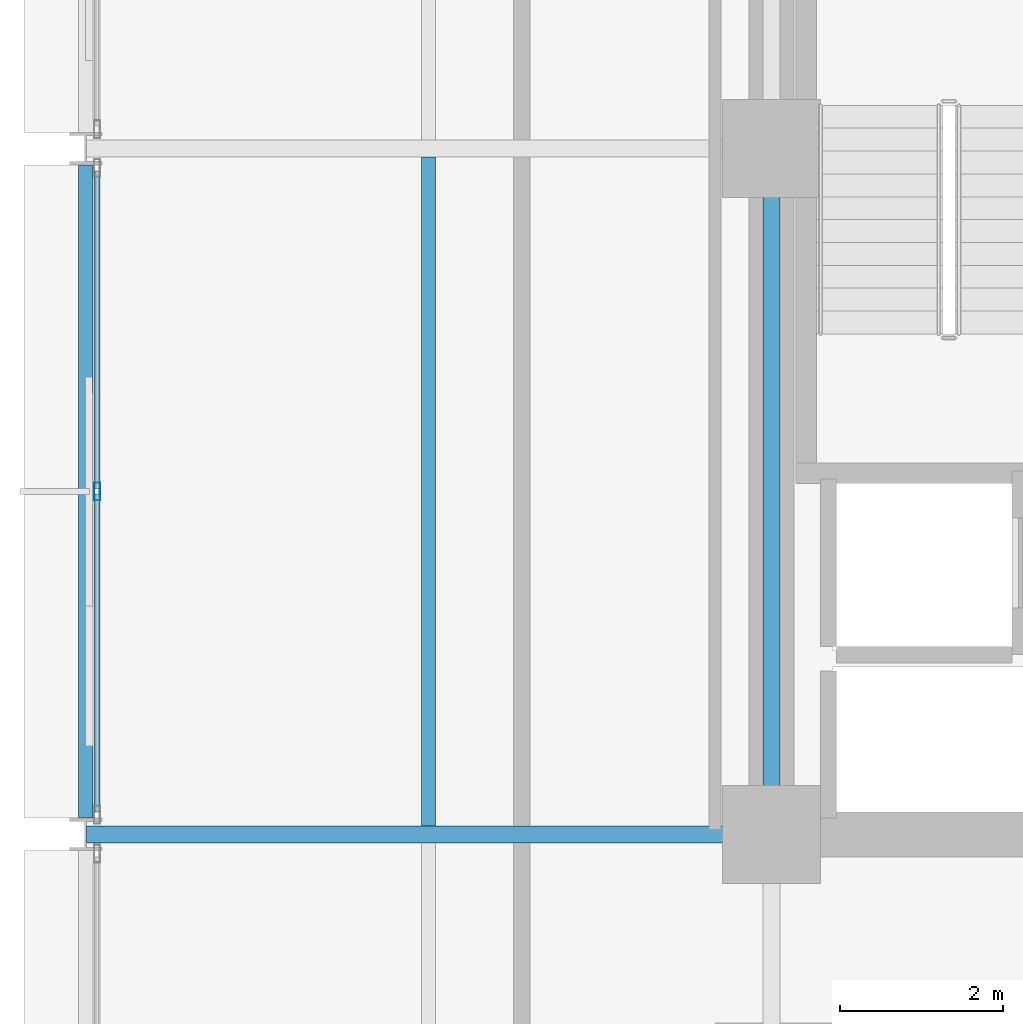
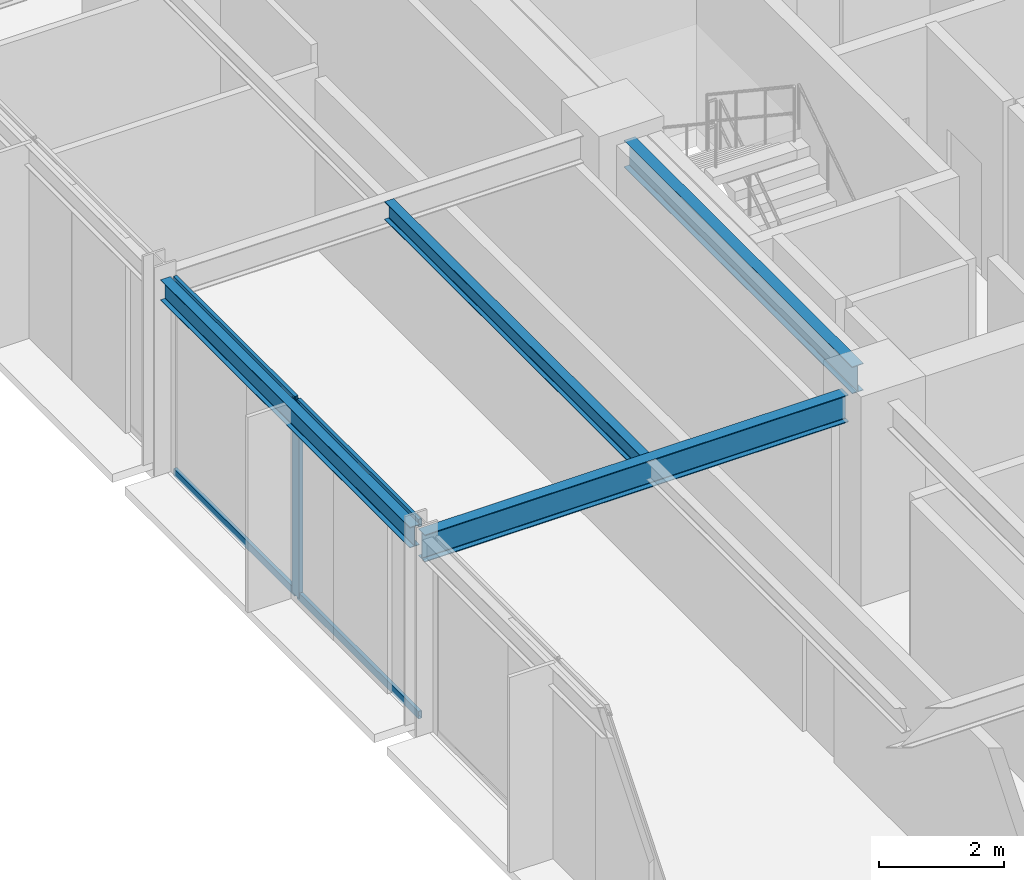
# One storey, part 7 of 25: 5 members, 4 beams, 1 element without a shape of its own.
"""IFC4 building model written with IfcOpenShell, lengths in metres."""

from ifc_helpers import new_model, si_unit, direction, frame, origin, origin_2d, place, context, subcontext, project, spatial, hollow_rectangle, i_section, extrude, material, layer, layer_set, material_profile, profile_set, type_object, element, aggregate, save


model = new_model("IFC4")

# Units and contexts
model_context = context("Model", 3, precision=1e-05, world=origin(), true_north=direction((0.0, 1.0)))
body_context = subcontext(model_context, "Body", "Model", "MODEL_VIEW")
ifc_project = project(units=[si_unit("LENGTHUNIT", "METRE"), si_unit("AREAUNIT", "SQUARE_METRE"), si_unit("VOLUMEUNIT", "CUBIC_METRE"), si_unit("PLANEANGLEUNIT", "RADIAN"), si_unit("MASSUNIT", "GRAM", prefix="KILO")], contexts=[model_context])

# Site, building, storey
site_placement = place(None, origin())
site = spatial("IfcSite", under=ifc_project, at=site_placement, CompositionType="ELEMENT")
building_placement = place(site_placement, origin())
building = spatial("IfcBuilding", under=site, at=building_placement, Name="Nerrivon Quay Data Exchange", CompositionType="ELEMENT")
storey_placement = place(building_placement, frame((0.0, 0.0, 113.10009765625)))
storey = spatial("IfcBuildingStorey", under=building, at=storey_placement, Name="L26", CompositionType="ELEMENT", Elevation=113.10009765625)

# Beams
ifc_material_1 = material(Name="Steel Grade 350", Category="steel")
ifc_material_profile_1 = material_profile(ifc_material_1, i_section(OverallWidth=0.208984375, OverallDepth=0.532958984375, WebThickness=0.01025390625, FlangeThickness=0.015625, FilletRadius=0.013916015625, at=origin_2d()), Name="530UB92.4")
ifc_profile_set_1 = profile_set([ifc_material_profile_1], Name="Steel Grade 350")
beam_type_1 = type_object("IfcBeamType", Name="BM-G3-530UB92", PredefinedType="BEAM", material=ifc_profile_set_1)
beam_1_placement = place(storey_placement, frame((0.012451171875, 25.199951171875, 3.558349609375), z_axis=(1.0, 0.0, 0.0), x_axis=(0.0, 1.0, 0.0)))
element("IfcBeam", 1, at=beam_1_placement, inside=storey, type_object=beam_type_1, Name="L26 EW Girder Y=25.2 (0.0..8.4)", PredefinedType="BEAM", context=body_context, shape_type="SweptSolid", body=[
    extrude(i_section(OverallWidth=0.208984375, OverallDepth=0.532958984375, WebThickness=0.01025390625, FlangeThickness=0.015625, FilletRadius=0.013916015625, at=origin_2d()), origin(), (0.0, 0.0, 1.0), 7.84765625),
])
ifc_material_profile_2 = material_profile(ifc_material_1, i_section(OverallWidth=0.208984375, OverallDepth=0.528076171875, WebThickness=0.009521484375, FlangeThickness=0.01318359375, FilletRadius=0.013916015625, at=origin_2d()), Name="530UB82.0")
ifc_profile_set_2 = profile_set([ifc_material_profile_2], Name="Steel Grade 350")
beam_type_2 = type_object("IfcBeamType", Name="BM-G4-530UB82", PredefinedType="BEAM", material=ifc_profile_set_2)
beam_2_placement = place(storey_placement, frame((8.39990234375, 25.739990234375, 3.560791015625), z_axis=(0.0, 1.0, 0.0), x_axis=(-1.0, 0.0, 0.0)))
element("IfcBeam", 2, at=beam_2_placement, inside=storey, type_object=beam_type_2, Name="L26 NS Girder X=8.4 (25.2..33.6)", PredefinedType="BEAM", context=body_context, shape_type="SweptSolid", body=[
    extrude(i_section(OverallWidth=0.208984375, OverallDepth=0.528076171875, WebThickness=0.009521484375, FlangeThickness=0.01318359375, FilletRadius=0.013916015625, at=origin_2d()), origin(), (0.0, 0.0, 1.0), 7.320068359375),
])
ifc_material_profile_3 = material_profile(ifc_material_1, i_section(OverallWidth=0.1708984375, OverallDepth=0.35595703125, WebThickness=0.00732421875, FlangeThickness=0.011474609375, FilletRadius=0.011474609375, at=origin_2d()), Name="360UB50.7")
ifc_profile_set_3 = profile_set([ifc_material_profile_3], Name="Steel Grade 350")
beam_type_3 = type_object("IfcBeamType", Name="BM-J4-360UB51", PredefinedType="JOIST", material=ifc_profile_set_3)
beam_3_placement = place(storey_placement, frame((4.199951171875, 25.304443359375, 3.64697265625), z_axis=(0.0, 1.0, 0.0), x_axis=(-1.0, 0.0, 0.0)))
element("IfcBeam", 3, at=beam_3_placement, inside=storey, type_object=beam_type_3, Name="L26 Secondary Joist X=4.2 (25.2..33.6)", PredefinedType="JOIST", context=body_context, shape_type="SweptSolid", body=[
    extrude(i_section(OverallWidth=0.1708984375, OverallDepth=0.35595703125, WebThickness=0.00732421875, FlangeThickness=0.011474609375, FilletRadius=0.011474609375, at=origin_2d()), origin(), (0.0, 0.0, 1.0), 8.191162109375),
])
ifc_material_profile_4 = material_profile(ifc_material_1, i_section(OverallWidth=0.177978515625, OverallDepth=0.403076171875, WebThickness=0.007568359375, FlangeThickness=0.010986328125, FilletRadius=0.011474609375, at=origin_2d()), Name="410UB53.7")
ifc_profile_set_4 = profile_set([ifc_material_profile_4], Name="Steel Grade 350")
beam_type_4 = type_object("IfcBeamType", Name="BM-SP2-410UB54", PredefinedType="SPANDREL", material=ifc_profile_set_4)
beam_4_placement = place(storey_placement, frame((0.0, 25.39990234375, 3.623291015625), z_axis=(0.0, 1.0, 0.0), x_axis=(-1.0, 0.0, 0.0)))
element("IfcBeam", 4, at=beam_4_placement, inside=storey, type_object=beam_type_4, Name="L26 NS Girder X=0.0 (25.2..33.6)", PredefinedType="SPANDREL", context=body_context, shape_type="SweptSolid", body=[
    extrude(i_section(OverallWidth=0.177978515625, OverallDepth=0.403076171875, WebThickness=0.007568359375, FlangeThickness=0.010986328125, FilletRadius=0.011474609375, at=origin_2d()), origin(), (0.0, 0.0, 1.0), 8.0),
])

# Curtain wall, members
ifc_material_2 = material(Name="Anodised aluminium 6063-T6", Category="aluminium")
ifc_layer = layer(ifc_material_2, 0.22998046875)
ifc_layer_set = layer_set([ifc_layer], Name="Anodised aluminium 6063-T6")
curtain_wall_type = type_object("IfcCurtainWallType", Name="CW-SYS-05", PredefinedType="NOTDEFINED", material=ifc_layer_set)
curtain_wall_placement = place(storey_placement, origin())
curtain_wall = element("IfcCurtainWall", 5, at=curtain_wall_placement, inside=storey, type_object=curtain_wall_type, Name="L26 Unitised Curtain Wall 15", PredefinedType="NOTDEFINED")
ifc_material_profile_5 = material_profile(ifc_material_2, hollow_rectangle(XDim=0.074951171875, YDim=0.219970703125, WallThickness=0.00390625, at=origin_2d()), Name="ALU-MULL-220x75")
ifc_profile_set_5 = profile_set([ifc_material_profile_5], Name="Anodised aluminium 6063-T6")
member_type_1 = type_object("IfcMemberType", Name="CWM-220x75", PredefinedType="MULLION", material=ifc_profile_set_5)
member_1_placement = place(storey_placement, frame((0.139892578125, 29.39990234375, 0.0), z_axis=(0.0, 0.0, 1.0), x_axis=(-1.0, 0.0, 0.0)))
member_1 = element("IfcMember", 6, at=member_1_placement, type_object=member_type_1, Name="CW05 mullion 2", PredefinedType="MULLION", context=body_context, shape_type="SweptSolid", body=[
    extrude(hollow_rectangle(XDim=0.074951171875, YDim=0.219970703125, WallThickness=0.00390625, at=origin_2d()), origin(), (0.0, 0.0, 1.0), 3.824951171875),
])
ifc_material_profile_6 = material_profile(ifc_material_2, hollow_rectangle(XDim=0.06494140625, YDim=0.14990234375, WallThickness=0.00341796875, at=origin_2d()), Name="ALU-TRAN-150x65")
ifc_profile_set_6 = profile_set([ifc_material_profile_6], Name="Anodised aluminium 6063-T6")
member_type_2 = type_object("IfcMemberType", Name="CWT-150x65", PredefinedType="USERDEFINED", material=ifc_profile_set_6)
member_2_placement = place(storey_placement, frame((0.139892578125, 25.47509765625, 0.032470703125), z_axis=(0.0, 1.0, 0.0), x_axis=(-1.0, 0.0, 0.0)))
member_2 = element("IfcMember", 7, at=member_2_placement, type_object=member_type_2, Name="CW05 transom 1.1", ObjectType="TRANSOM", PredefinedType="USERDEFINED", context=body_context, shape_type="SweptSolid", body=[
    extrude(hollow_rectangle(XDim=0.06494140625, YDim=0.14990234375, WallThickness=0.00341796875, at=origin_2d()), origin(), (0.0, 0.0, 1.0), 3.887451171875),
])
member_3_placement = place(storey_placement, frame((0.139892578125, 25.47509765625, 3.79248046875), z_axis=(0.0, 1.0, 0.0), x_axis=(-1.0, 0.0, 0.0)))
member_3 = element("IfcMember", 8, at=member_3_placement, type_object=member_type_2, Name="CW05 transom 1.2", ObjectType="TRANSOM", PredefinedType="USERDEFINED", context=body_context, shape_type="SweptSolid", body=[
    extrude(hollow_rectangle(XDim=0.06494140625, YDim=0.14990234375, WallThickness=0.00341796875, at=origin_2d()), origin(), (0.0, 0.0, 1.0), 3.887451171875),
])
member_4_placement = place(storey_placement, frame((0.139892578125, 29.4375, 0.032470703125), z_axis=(0.0, 1.0, 0.0), x_axis=(-1.0, 0.0, 0.0)))
member_4 = element("IfcMember", 9, at=member_4_placement, type_object=member_type_2, Name="CW05 transom 2.1", ObjectType="TRANSOM", PredefinedType="USERDEFINED", context=body_context, shape_type="SweptSolid", body=[
    extrude(hollow_rectangle(XDim=0.06494140625, YDim=0.14990234375, WallThickness=0.00341796875, at=origin_2d()), origin(), (0.0, 0.0, 1.0), 3.887451171875),
])
member_5_placement = place(storey_placement, frame((0.139892578125, 29.4375, 3.79248046875), z_axis=(0.0, 1.0, 0.0), x_axis=(-1.0, 0.0, 0.0)))
member_5 = element("IfcMember", 10, at=member_5_placement, type_object=member_type_2, Name="CW05 transom 2.2", ObjectType="TRANSOM", PredefinedType="USERDEFINED", context=body_context, shape_type="SweptSolid", body=[
    extrude(hollow_rectangle(XDim=0.06494140625, YDim=0.14990234375, WallThickness=0.00341796875, at=origin_2d()), origin(), (0.0, 0.0, 1.0), 3.887451171875),
])
aggregate(curtain_wall, [member_1, member_2, member_3, member_4, member_5])

save(model, "model.ifc")
